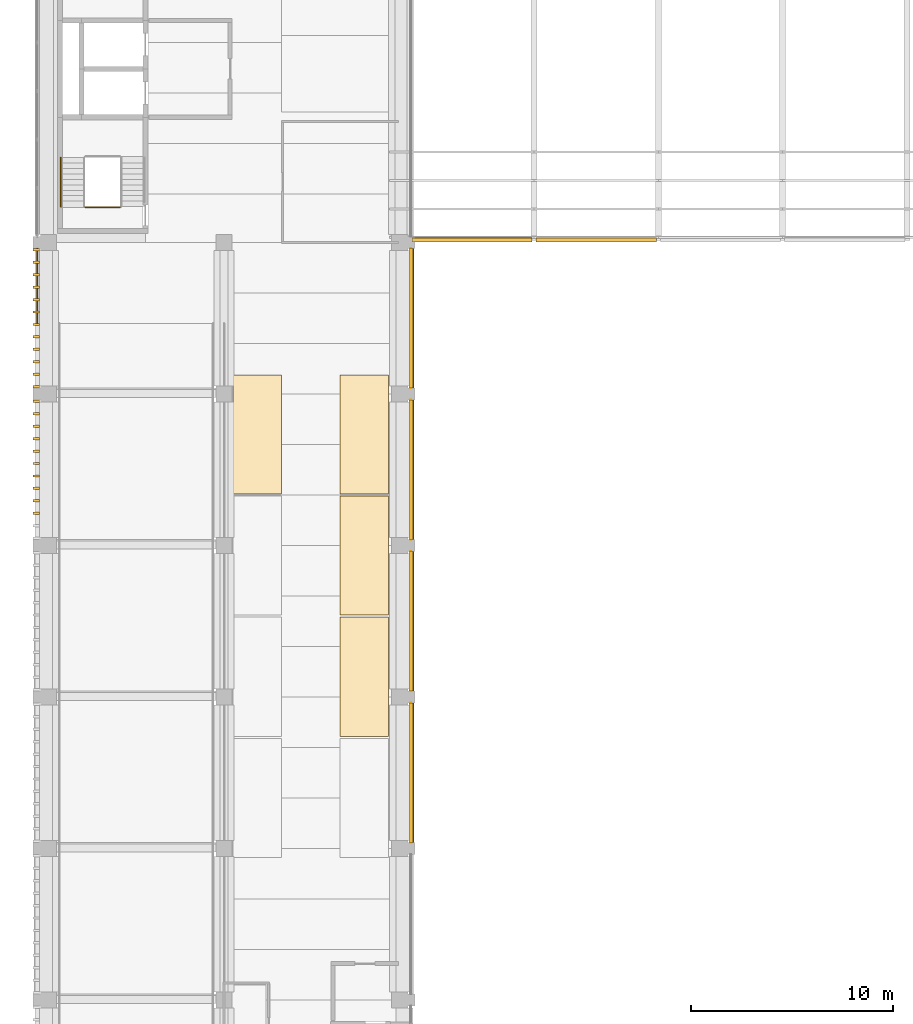
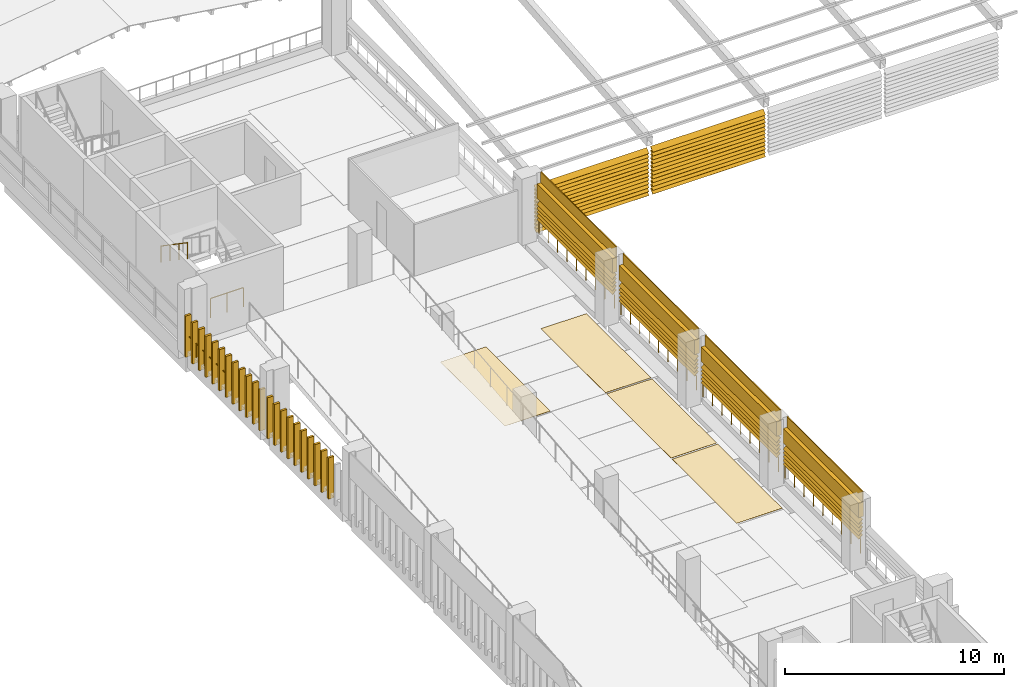
# One storey, part 43 of 52: 44 shading devices, 30 coverings, 7 railings.
"""IFC4 building model written with IfcOpenShell, lengths in metres."""

import ifcopenshell
import ifcopenshell.guid

model = None  # the IFC model being written
_history = None  # IfcOwnerHistory: only IFC2X3 demands one
_inside = {}  # id of a spatial element -> (the spatial element, [elements in it])
_under = {}  # id of a project, library or spatial element -> (it, [spatial elements below it])
_declared = {}  # id of a project -> (the project, [libraries it declares])
_typed = {}  # id of a type object -> (the type object, [elements of that type])
_made_of = {}  # id of a material, layer set ... -> (it, [elements and type objects made of it])


def new_model(schema):
    """Start an empty IFC model of exactly this schema.

    Asked for "IFC4X3", IfcOpenShell would pick the latest addendum, in which some entities
    have other attributes; the version numbers below select the first issue.
    IFC2X3 requires an IfcOwnerHistory on every rooted entity: one is made here for all.
    """
    global model, _history
    if schema == "IFC4X3":
        model = ifcopenshell.file(schema_version=(4, 3, 0, 0))
    else:
        model = ifcopenshell.file(schema=schema)
    _inside.clear()
    _under.clear()
    _declared.clear()
    _typed.clear()
    _made_of.clear()
    _history = None
    if model.schema == "IFC2X3":
        org = make("IfcOrganization", Name="unknown")
        user = make(
            "IfcPersonAndOrganization",
            ThePerson=make("IfcPerson", FamilyName="unknown"),
            TheOrganization=org,
        )
        app = make(
            "IfcApplication",
            ApplicationDeveloper=org,
            Version="unknown",
            ApplicationFullName="unknown",
            ApplicationIdentifier="unknown",
        )
        _history = make(
            "IfcOwnerHistory",
            OwningUser=user,
            OwningApplication=app,
            ChangeAction="ADDED",
            CreationDate=0,
        )
    return model


def make(cls, **values):
    """One entity of the class cls with the attributes given. An attribute that is None is left unset."""
    return model.create_entity(
        cls, **{name: value for name, value in values.items() if value is not None}
    )


def rooted(cls, **values):
    """An entity with a GlobalId (a new one), such as an element, a storey or a relation."""
    return make(cls, GlobalId=ifcopenshell.guid.new(), OwnerHistory=_history, **values)


def si_unit(unit_type, name, prefix=None):
    """IfcSIUnit, for example si_unit("LENGTHUNIT", "METRE", prefix="MILLI")."""
    return make("IfcSIUnit", UnitType=unit_type, Prefix=prefix, Name=name)


def assignment(units):
    """IfcUnitAssignment: the units of a project."""
    return None if units is None else make("IfcUnitAssignment", Units=units)


def point(xyz):
    """IfcCartesianPoint."""
    return None if xyz is None else make("IfcCartesianPoint", Coordinates=xyz)


def direction(xyz):
    """IfcDirection."""
    return None if xyz is None else make("IfcDirection", DirectionRatios=xyz)


def frame(location, z_axis=None, x_axis=None):
    """IfcAxis2Placement3D, a coordinate frame: its origin and axes. An axis left out is left unset."""
    return make(
        "IfcAxis2Placement3D",
        Location=point(location),
        Axis=direction(z_axis),
        RefDirection=direction(x_axis),
    )


def frame_2d(location, x_axis=None):
    """IfcAxis2Placement2D, a coordinate frame in the plane: its origin and x axis."""
    return make(
        "IfcAxis2Placement2D", Location=point(location), RefDirection=direction(x_axis)
    )


def origin():
    """The frame at (0, 0, 0) with its axes left unset."""
    return frame((0.0, 0.0, 0.0))


def origin_2d():
    """The frame at (0, 0) in the plane with its x axis left unset."""
    return frame_2d((0.0, 0.0))


def place(relative_to, where):
    """IfcLocalPlacement: puts the frame where relative to a parent placement (None: the world)."""
    return make(
        "IfcLocalPlacement", PlacementRelTo=relative_to, RelativePlacement=where
    )


def context(
    kind, dimensions, precision=None, world=None, true_north=None, identifier=None
):
    """IfcGeometricRepresentationContext, for example the 3D "Model" context."""
    return make(
        "IfcGeometricRepresentationContext",
        ContextIdentifier=identifier,
        ContextType=kind,
        CoordinateSpaceDimension=dimensions,
        Precision=precision,
        WorldCoordinateSystem=world,
        TrueNorth=true_north,
    )


def subcontext(parent, identifier, kind, view, scale=None):
    """IfcGeometricRepresentationSubContext, for example "Body" below "Model"."""
    return make(
        "IfcGeometricRepresentationSubContext",
        ContextIdentifier=identifier,
        ContextType=kind,
        ParentContext=parent,
        TargetScale=scale,
        TargetView=view,
    )


def project(units=None, contexts=None):
    """IfcProject with its units and contexts."""
    return rooted(
        "IfcProject",
        Name="project",
        RepresentationContexts=contexts,
        UnitsInContext=assignment(units),
    )


def spatial(cls, under=None, at=None, **own):
    """A site, building, storey or space (cls), placed at a placement, below another one or the project."""
    s = rooted(cls, ObjectPlacement=at, **own)
    if under is not None:
        _under.setdefault(under.id(), (under, []))[1].append(s)
    return s


def polyline(points):
    """IfcPolyline through the points."""
    return make("IfcPolyline", Points=[point(p) for p in points])


def profile(cls, at=None, kind="AREA", **sizes):
    """A parametric profile (cls). Its sizes go by their IFC names, for example OverallWidth=200.0."""
    return make(cls, ProfileType=kind, Position=at, **sizes)


def circle(**sizes):
    """IfcCircleProfileDef."""
    return profile("IfcCircleProfileDef", **sizes)


def outline(outer, holes=None, kind="AREA"):
    """IfcArbitraryClosedProfileDef: a profile drawn as a closed curve; with holes, ...WithVoids."""
    if holes is None:
        return make("IfcArbitraryClosedProfileDef", ProfileType=kind, OuterCurve=outer)
    return make(
        "IfcArbitraryProfileDefWithVoids",
        ProfileType=kind,
        OuterCurve=outer,
        InnerCurves=holes,
    )


def extrude(swept, where, along, depth):
    """IfcExtrudedAreaSolid: the profile swept, set in the frame where, extruded along a direction by depth."""
    return make(
        "IfcExtrudedAreaSolid",
        SweptArea=swept,
        Position=where,
        ExtrudedDirection=direction(along),
        Depth=depth,
    )


def shape(context_of_items, identifier, shape_type, items):
    """IfcShapeRepresentation: the items that make up one representation, for example the "Body"."""
    return make(
        "IfcShapeRepresentation",
        ContextOfItems=context_of_items,
        RepresentationIdentifier=identifier,
        RepresentationType=shape_type,
        Items=items,
    )


def material(Name=None, Category=None):
    """IfcMaterial."""
    return make("IfcMaterial", Name=Name, Category=Category)


def layer(
    of_material, thickness, ventilated=None, Name=None, Category=None, Priority=None
):
    """IfcMaterialLayer: one layer of a wall or slab, of a material (None: an air gap)."""
    return make(
        "IfcMaterialLayer",
        Material=of_material,
        LayerThickness=thickness,
        IsVentilated=ventilated,
        Name=Name,
        Category=Category,
        Priority=Priority,
    )


def layer_set(layers, Name=None):
    """IfcMaterialLayerSet."""
    return make("IfcMaterialLayerSet", MaterialLayers=layers, LayerSetName=Name)


def made_of(thing, what):
    """Note that an element or type object is made of a material, layer set ...; save() writes the relation."""
    if what is not None:
        _made_of.setdefault(what.id(), (what, []))[1].append(thing)
    return thing


def type_object(cls, material=None, **own):
    """A type object (cls), such as IfcWallType, which elements share."""
    return made_of(rooted(cls, **own), material)


def element(
    cls,
    number,
    at=None,
    inside=None,
    cuts=None,
    type_object=None,
    material=None,
    context=None,
    identifier="Body",
    shape_type=None,
    held_by="IfcProductDefinitionShape",
    body=None,
    shapes=None,
    **own,
):
    """One element of the class cls, such as IfcWall. Its Tag is "e" and its number.

    at: its placement. inside: the storey or other place that contains it. cuts: it is an
    opening in that element (IfcRelVoidsElement). A single representation is given by context,
    identifier, shape_type and body (its items); several are given by shapes. held_by: the class
    of the entity that holds the representations. save() writes the other relations.
    """
    e = rooted(cls, Tag="e%d" % number, ObjectPlacement=at, **own)
    if body is not None:
        shapes = [shape(context, identifier, shape_type, body)]
    if shapes is not None:
        e.Representation = make(held_by, Representations=shapes)
    if inside is not None:
        _inside.setdefault(inside.id(), (inside, []))[1].append(e)
    if cuts is not None:
        rooted(
            "IfcRelVoidsElement", RelatingBuildingElement=cuts, RelatedOpeningElement=e
        )
    if type_object is not None:
        _typed.setdefault(type_object.id(), (type_object, []))[1].append(e)
    return made_of(e, material)


def aggregate(whole, parts):
    """IfcRelAggregates: a whole, such as a stair, and the parts it consists of."""
    return rooted("IfcRelAggregates", RelatingObject=whole, RelatedObjects=parts)


def save(model, path):
    """Write the relations noted so far, then the file.

    IfcRelAggregates (storeys below a building ...), IfcRelContainedInSpatialStructure (elements
    in a storey), IfcRelDefinesByType, IfcRelAssociatesMaterial and IfcRelDeclares: one each for
    every whole, place, type object, material and project.
    """
    for whole, parts in _under.values():
        aggregate(whole, parts)
    for where, things in _inside.values():
        rooted(
            "IfcRelContainedInSpatialStructure",
            RelatedElements=things,
            RelatingStructure=where,
        )
    for kind, things in _typed.values():
        rooted("IfcRelDefinesByType", RelatedObjects=things, RelatingType=kind)
    for what, things in _made_of.values():
        rooted("IfcRelAssociatesMaterial", RelatedObjects=things, RelatingMaterial=what)
    for by, libraries in _declared.values():
        rooted("IfcRelDeclares", RelatingContext=by, RelatedDefinitions=libraries)
    model.write(path)


model = new_model("IFC4")

# Units and contexts
model_context = context("Model", 3, precision=1e-05, world=origin(), true_north=direction((0.0, 1.0)))
body_context = subcontext(model_context, "Body", "Model", "MODEL_VIEW")
ifc_project = project(units=[si_unit("LENGTHUNIT", "METRE"), si_unit("AREAUNIT", "SQUARE_METRE"), si_unit("VOLUMEUNIT", "CUBIC_METRE"), si_unit("PLANEANGLEUNIT", "RADIAN"), si_unit("MASSUNIT", "GRAM", prefix="KILO")], contexts=[model_context])

# Site, building, storey
site_placement = place(None, origin())
site = spatial("IfcSite", under=ifc_project, at=site_placement, CompositionType="ELEMENT")
building_placement = place(site_placement, origin())
building = spatial("IfcBuilding", under=site, at=building_placement, Name="Cour d'Honneur Mobility Palace", CompositionType="ELEMENT")
storey_placement = place(building_placement, frame((0.0, 0.0, 23.0)))
storey = spatial("IfcBuildingStorey", under=building, at=storey_placement, Name="L06", CompositionType="ELEMENT", Elevation=23.0)

# Railings
ifc_material_1 = material(Name="Painted steel", Category="steel")
railing_type_1 = type_object("IfcRailingType", Name="Balustrade", PredefinedType="BALUSTRADE", material=ifc_material_1)
for number, where, name in (
    (1, (17.949951171875, 15.300048828125, 0.300048828125), "Balustrade BAL-344"),
    (2, (17.949951171875, 22.800048828125, 0.300048828125), "Balustrade BAL-345"),
    (3, (17.949951171875, 30.300048828125, 0.300048828125), "Balustrade BAL-346"),
    (4, (17.949951171875, 37.800048828125, 0.300048828125), "Balustrade BAL-347"),
):
    element("IfcRailing", number, at=place(storey_placement, frame(where)), inside=storey, type_object=railing_type_1, Name=name, PredefinedType="BALUSTRADE", context=body_context, shape_type="SweptSolid", body=[
        extrude(circle(Radius=0.02392578125, at=origin_2d()), frame((0.0, 0.0, 0.77587890625), z_axis=(0.0, 1.0, 0.0), x_axis=(-1.0, 0.0, 0.0)), (0.0, 0.0, 1.0), 6.89990234375),
        extrude(circle(Radius=0.02099609375, at=origin_2d()), origin(), (0.0, 0.0, 1.0), 0.751953125),
        extrude(circle(Radius=0.02099609375, at=origin_2d()), frame((0.0, 0.862548828125, 0.0)), (0.0, 0.0, 1.0), 0.751953125),
        extrude(circle(Radius=0.02099609375, at=origin_2d()), frame((0.0, 1.72509765625, 0.0)), (0.0, 0.0, 1.0), 0.751953125),
        extrude(circle(Radius=0.02099609375, at=origin_2d()), frame((0.0, 2.58740234375, 0.0)), (0.0, 0.0, 1.0), 0.751953125),
        extrude(circle(Radius=0.02099609375, at=origin_2d()), frame((0.0, 3.449951171875, 0.0)), (0.0, 0.0, 1.0), 0.751953125),
        extrude(circle(Radius=0.02099609375, at=origin_2d()), frame((0.0, 4.3125, 0.0)), (0.0, 0.0, 1.0), 0.751953125),
        extrude(circle(Radius=0.02099609375, at=origin_2d()), frame((0.0, 5.1748046875, 0.0)), (0.0, 0.0, 1.0), 0.751953125),
        extrude(circle(Radius=0.02099609375, at=origin_2d()), frame((0.0, 6.037353515625, 0.0)), (0.0, 0.0, 1.0), 0.751953125),
        extrude(circle(Radius=0.02099609375, at=origin_2d()), frame((0.0, 6.89990234375, 0.0)), (0.0, 0.0, 1.0), 0.751953125),
    ])
railing_1_placement = place(storey_placement, frame((-0.550048828125, 44.699951171875, 0.300048828125)))
element("IfcRailing", 5, at=railing_1_placement, inside=storey, type_object=railing_type_1, Name="Balustrade BAL-350", PredefinedType="BALUSTRADE", context=body_context, shape_type="SweptSolid", body=[
    extrude(circle(Radius=0.02392578125, at=origin_2d()), frame((0.0, 0.0, 0.77587890625), z_axis=(0.0, -1.0, 0.0), x_axis=(1.0, 0.0, 0.0)), (0.0, 0.0, 1.0), 3.699951171875),
    extrude(circle(Radius=0.02099609375, at=origin_2d()), origin(), (0.0, 0.0, 1.0), 0.751953125),
    extrude(circle(Radius=0.02099609375, at=origin_2d()), frame((0.0, -0.739990234375, 0.0)), (0.0, 0.0, 1.0), 0.751953125),
    extrude(circle(Radius=0.02099609375, at=origin_2d()), frame((0.0, -1.47998046875, 0.0)), (0.0, 0.0, 1.0), 0.751953125),
    extrude(circle(Radius=0.02099609375, at=origin_2d()), frame((0.0, -2.219970703125, 0.0)), (0.0, 0.0, 1.0), 0.751953125),
    extrude(circle(Radius=0.02099609375, at=origin_2d()), frame((0.0, -2.9599609375, 0.0)), (0.0, 0.0, 1.0), 0.751953125),
    extrude(circle(Radius=0.02099609375, at=origin_2d()), frame((0.0, -3.699951171875, 0.0)), (0.0, 0.0, 1.0), 0.751953125),
])
ifc_material_2 = material(Name="Painted steel", Category="steel")
railing_type_2 = type_object("IfcRailingType", Name="Guardrail 1100", PredefinedType="GUARDRAIL", material=ifc_material_2)
railing_2_placement = place(storey_placement, frame((1.824951171875, 46.7548828125, 0.0)))
element("IfcRailing", 6, at=railing_2_placement, inside=storey, type_object=railing_type_2, Name="Guard ST-CW1", PredefinedType="GUARDRAIL", context=body_context, shape_type="SweptSolid", body=[
    extrude(circle(Radius=0.02490234375, at=origin_2d()), frame((0.0, 0.0, 1.0751953125), z_axis=(1.0, 0.0, 0.0), x_axis=(0.0, 1.0, 0.0)), (0.0, 0.0, 1.0), 1.72509765625),
    extrude(circle(Radius=0.02099609375, at=origin_2d()), origin(), (0.0, 0.0, 1.0), 1.050048828125),
    extrude(circle(Radius=0.02099609375, at=origin_2d()), frame((0.862548828125, 0.0, 0.0)), (0.0, 0.0, 1.0), 1.050048828125),
    extrude(circle(Radius=0.02099609375, at=origin_2d()), frame((1.72509765625, 0.0, 0.0)), (0.0, 0.0, 1.0), 1.050048828125),
])
ifc_material_3 = material(Name="Stainless steel", Category="steel")
railing_type_3 = type_object("IfcRailingType", Name="Handrail round 50", PredefinedType="HANDRAIL", material=ifc_material_3)
railing_3_placement = place(storey_placement, frame((0.625, 49.205078125, 2.034912109375)))
element("IfcRailing", 7, at=railing_3_placement, inside=storey, type_object=railing_type_3, Name="Handrail ST-CW1", PredefinedType="HANDRAIL", context=body_context, shape_type="SweptSolid", body=[
    extrude(circle(Radius=0.02490234375, at=origin_2d()), frame((0.0, 0.0, 0.89501953125), z_axis=(0.0, -0.824945253146, 0.565212640793), x_axis=(1.0, 0.0, 0.0)), (0.0, 0.0, 1.0), 2.94580078125),
    extrude(circle(Radius=0.02099609375, at=origin_2d()), origin(), (0.0, 0.0, 1.0), 0.869873046875),
    extrude(circle(Radius=0.02099609375, at=origin_2d()), frame((0.0, -0.81005859375, 0.554931640625)), (0.0, 0.0, 1.0), 0.869873046875),
    extrude(circle(Radius=0.02099609375, at=origin_2d()), frame((0.0, -1.6201171875, 1.110107421875)), (0.0, 0.0, 1.0), 0.869873046875),
    extrude(circle(Radius=0.02099609375, at=origin_2d()), frame((0.0, -2.43017578125, 1.6650390625)), (0.0, 0.0, 1.0), 0.869873046875),
])

# Coverings
ifc_material_4 = material(Name="Parking marking paint")
ifc_layer_1 = layer(ifc_material_4, 0.0048828125)
ifc_layer_set_1 = layer_set([ifc_layer_1], Name="Parking marking paint")
covering_type_1 = type_object("IfcCoveringType", Name="Parking bay marking", PredefinedType="FLOORING", material=ifc_layer_set_1)
covering_1_placement = place(storey_placement, origin())
element("IfcCovering", 8, at=covering_1_placement, inside=storey, type_object=covering_type_1, Name="Parking bay marking L06 12", PredefinedType="FLOORING", context=body_context, shape_type="SweptSolid", body=[
    extrude(outline(polyline([(11.550048828125, 32.550048828125), (9.14990234375, 32.550048828125), (9.14990234375, 38.449951171875), (11.550048828125, 38.449951171875), (11.550048828125, 32.550048828125)])), origin(), (0.0, 0.0, 1.0), 0.0048828125),
])
covering_2_placement = place(storey_placement, origin())
element("IfcCovering", 9, at=covering_2_placement, inside=storey, type_object=covering_type_1, Name="Parking bay marking L06 14", PredefinedType="FLOORING", context=body_context, shape_type="SweptSolid", body=[
    extrude(outline(polyline([(16.85009765625, 20.550048828125), (14.449951171875, 20.550048828125), (14.449951171875, 26.449951171875), (16.85009765625, 26.449951171875), (16.85009765625, 20.550048828125)])), origin(), (0.0, 0.0, 1.0), 0.0048828125),
])
covering_3_placement = place(storey_placement, origin())
element("IfcCovering", 10, at=covering_3_placement, inside=storey, type_object=covering_type_1, Name="Parking bay marking L06 15", PredefinedType="FLOORING", context=body_context, shape_type="SweptSolid", body=[
    extrude(outline(polyline([(16.85009765625, 26.550048828125), (14.449951171875, 26.550048828125), (14.449951171875, 32.449951171875), (16.85009765625, 32.449951171875), (16.85009765625, 26.550048828125)])), origin(), (0.0, 0.0, 1.0), 0.0048828125),
])
covering_4_placement = place(storey_placement, origin())
element("IfcCovering", 11, at=covering_4_placement, inside=storey, type_object=covering_type_1, Name="Parking bay marking L06 16", PredefinedType="FLOORING", context=body_context, shape_type="SweptSolid", body=[
    extrude(outline(polyline([(16.85009765625, 32.550048828125), (14.449951171875, 32.550048828125), (14.449951171875, 38.449951171875), (16.85009765625, 38.449951171875), (16.85009765625, 32.550048828125)])), origin(), (0.0, 0.0, 1.0), 0.0048828125),
])
ifc_material_5 = material(Name="Cast limestone", Category="masonry")
ifc_layer_2 = layer(ifc_material_5, 0.1201171875)
ifc_layer_set_2 = layer_set([ifc_layer_2], Name="Cast limestone")
covering_type_2 = type_object("IfcCoveringType", Name="Ramp screen fin", PredefinedType="CLADDING", material=ifc_layer_set_2)
covering_5_placement = place(storey_placement, origin())
element("IfcCovering", 12, at=covering_5_placement, inside=storey, type_object=covering_type_2, Name="Ramp screen fin W3.1 L06 1", PredefinedType="CLADDING", context=body_context, shape_type="SweptSolid", body=[
    extrude(outline(polyline([(-0.449951171875, 44.699951171875), (-0.449951171875, 44.580078125), (-0.75, 44.580078125), (-0.75, 44.699951171875), (-0.449951171875, 44.699951171875)])), origin(), (0.0, 0.0, 1.0), 2.300048828125),
])
covering_6_placement = place(storey_placement, origin())
element("IfcCovering", 13, at=covering_6_placement, inside=storey, type_object=covering_type_2, Name="Ramp screen fin W3.1 L06 2", PredefinedType="CLADDING", context=body_context, shape_type="SweptSolid", body=[
    extrude(outline(polyline([(-0.449951171875, 44.083740234375), (-0.449951171875, 43.963623046875), (-0.75, 43.963623046875), (-0.75, 44.083740234375), (-0.449951171875, 44.083740234375)])), origin(), (0.0, 0.0, 1.0), 2.300048828125),
])
covering_7_placement = place(storey_placement, origin())
element("IfcCovering", 14, at=covering_7_placement, inside=storey, type_object=covering_type_2, Name="Ramp screen fin W3.1 L06 3", PredefinedType="CLADDING", context=body_context, shape_type="SweptSolid", body=[
    extrude(outline(polyline([(-0.449951171875, 43.46728515625), (-0.449951171875, 43.34716796875), (-0.75, 43.34716796875), (-0.75, 43.46728515625), (-0.449951171875, 43.46728515625)])), origin(), (0.0, 0.0, 1.0), 2.300048828125),
])
covering_8_placement = place(storey_placement, origin())
element("IfcCovering", 15, at=covering_8_placement, inside=storey, type_object=covering_type_2, Name="Ramp screen fin W3.1 L06 4", PredefinedType="CLADDING", context=body_context, shape_type="SweptSolid", body=[
    extrude(outline(polyline([(-0.449951171875, 42.850830078125), (-0.449951171875, 42.73095703125), (-0.75, 42.73095703125), (-0.75, 42.850830078125), (-0.449951171875, 42.850830078125)])), origin(), (0.0, 0.0, 1.0), 2.300048828125),
])
covering_9_placement = place(storey_placement, origin())
element("IfcCovering", 16, at=covering_9_placement, inside=storey, type_object=covering_type_2, Name="Ramp screen fin W3.1 L06 5", PredefinedType="CLADDING", context=body_context, shape_type="SweptSolid", body=[
    extrude(outline(polyline([(-0.449951171875, 42.234619140625), (-0.449951171875, 42.114501953125), (-0.75, 42.114501953125), (-0.75, 42.234619140625), (-0.449951171875, 42.234619140625)])), origin(), (0.0, 0.0, 1.0), 2.300048828125),
])
covering_10_placement = place(storey_placement, origin())
element("IfcCovering", 17, at=covering_10_placement, inside=storey, type_object=covering_type_2, Name="Ramp screen fin W3.1 L06 6", PredefinedType="CLADDING", context=body_context, shape_type="SweptSolid", body=[
    extrude(outline(polyline([(-0.449951171875, 41.6181640625), (-0.449951171875, 41.498291015625), (-0.75, 41.498291015625), (-0.75, 41.6181640625), (-0.449951171875, 41.6181640625)])), origin(), (0.0, 0.0, 1.0), 2.300048828125),
])
covering_11_placement = place(storey_placement, origin())
element("IfcCovering", 18, at=covering_11_placement, inside=storey, type_object=covering_type_2, Name="Ramp screen fin W3.1 L06 7", PredefinedType="CLADDING", context=body_context, shape_type="SweptSolid", body=[
    extrude(outline(polyline([(-0.449951171875, 41.001708984375), (-0.449951171875, 40.8818359375), (-0.75, 40.8818359375), (-0.75, 41.001708984375), (-0.449951171875, 41.001708984375)])), origin(), (0.0, 0.0, 1.0), 2.300048828125),
])
covering_12_placement = place(storey_placement, origin())
element("IfcCovering", 19, at=covering_12_placement, inside=storey, type_object=covering_type_2, Name="Ramp screen fin W3.1 L06 8", PredefinedType="CLADDING", context=body_context, shape_type="SweptSolid", body=[
    extrude(outline(polyline([(-0.449951171875, 40.385498046875), (-0.449951171875, 40.265380859375), (-0.75, 40.265380859375), (-0.75, 40.385498046875), (-0.449951171875, 40.385498046875)])), origin(), (0.0, 0.0, 1.0), 2.300048828125),
])
covering_13_placement = place(storey_placement, origin())
element("IfcCovering", 20, at=covering_13_placement, inside=storey, type_object=covering_type_2, Name="Ramp screen fin W3.1 L06 9", PredefinedType="CLADDING", context=body_context, shape_type="SweptSolid", body=[
    extrude(outline(polyline([(-0.449951171875, 39.76904296875), (-0.449951171875, 39.649169921875), (-0.75, 39.649169921875), (-0.75, 39.76904296875), (-0.449951171875, 39.76904296875)])), origin(), (0.0, 0.0, 1.0), 2.300048828125),
])
covering_14_placement = place(storey_placement, origin())
element("IfcCovering", 21, at=covering_14_placement, inside=storey, type_object=covering_type_2, Name="Ramp screen fin W3.1 L06 10", PredefinedType="CLADDING", context=body_context, shape_type="SweptSolid", body=[
    extrude(outline(polyline([(-0.449951171875, 39.15283203125), (-0.449951171875, 39.03271484375), (-0.75, 39.03271484375), (-0.75, 39.15283203125), (-0.449951171875, 39.15283203125)])), origin(), (0.0, 0.0, 1.0), 2.300048828125),
])
covering_15_placement = place(storey_placement, origin())
element("IfcCovering", 22, at=covering_15_placement, inside=storey, type_object=covering_type_2, Name="Ramp screen fin W3.1 L06 11", PredefinedType="CLADDING", context=body_context, shape_type="SweptSolid", body=[
    extrude(outline(polyline([(-0.449951171875, 38.536376953125), (-0.449951171875, 38.416259765625), (-0.75, 38.416259765625), (-0.75, 38.536376953125), (-0.449951171875, 38.536376953125)])), origin(), (0.0, 0.0, 1.0), 2.300048828125),
])
covering_16_placement = place(storey_placement, origin())
element("IfcCovering", 23, at=covering_16_placement, inside=storey, type_object=covering_type_2, Name="Ramp screen fin W3.1 L06 12", PredefinedType="CLADDING", context=body_context, shape_type="SweptSolid", body=[
    extrude(outline(polyline([(-0.449951171875, 37.919921875), (-0.449951171875, 37.800048828125), (-0.75, 37.800048828125), (-0.75, 37.919921875), (-0.449951171875, 37.919921875)])), origin(), (0.0, 0.0, 1.0), 2.300048828125),
])
covering_17_placement = place(storey_placement, origin())
element("IfcCovering", 24, at=covering_17_placement, inside=storey, type_object=covering_type_2, Name="Ramp screen fin W3.2 L06 1", PredefinedType="CLADDING", context=body_context, shape_type="SweptSolid", body=[
    extrude(outline(polyline([(-0.449951171875, 37.199951171875), (-0.449951171875, 37.080078125), (-0.75, 37.080078125), (-0.75, 37.199951171875), (-0.449951171875, 37.199951171875)])), origin(), (0.0, 0.0, 1.0), 2.300048828125),
])
covering_18_placement = place(storey_placement, origin())
element("IfcCovering", 25, at=covering_18_placement, inside=storey, type_object=covering_type_2, Name="Ramp screen fin W3.2 L06 2", PredefinedType="CLADDING", context=body_context, shape_type="SweptSolid", body=[
    extrude(outline(polyline([(-0.449951171875, 36.583740234375), (-0.449951171875, 36.463623046875), (-0.75, 36.463623046875), (-0.75, 36.583740234375), (-0.449951171875, 36.583740234375)])), origin(), (0.0, 0.0, 1.0), 2.300048828125),
])
covering_19_placement = place(storey_placement, origin())
element("IfcCovering", 26, at=covering_19_placement, inside=storey, type_object=covering_type_2, Name="Ramp screen fin W3.2 L06 3", PredefinedType="CLADDING", context=body_context, shape_type="SweptSolid", body=[
    extrude(outline(polyline([(-0.449951171875, 35.96728515625), (-0.449951171875, 35.84716796875), (-0.75, 35.84716796875), (-0.75, 35.96728515625), (-0.449951171875, 35.96728515625)])), origin(), (0.0, 0.0, 1.0), 2.300048828125),
])
covering_20_placement = place(storey_placement, origin())
element("IfcCovering", 27, at=covering_20_placement, inside=storey, type_object=covering_type_2, Name="Ramp screen fin W3.2 L06 4", PredefinedType="CLADDING", context=body_context, shape_type="SweptSolid", body=[
    extrude(outline(polyline([(-0.449951171875, 35.350830078125), (-0.449951171875, 35.23095703125), (-0.75, 35.23095703125), (-0.75, 35.350830078125), (-0.449951171875, 35.350830078125)])), origin(), (0.0, 0.0, 1.0), 2.300048828125),
])
covering_21_placement = place(storey_placement, origin())
element("IfcCovering", 28, at=covering_21_placement, inside=storey, type_object=covering_type_2, Name="Ramp screen fin W3.2 L06 5", PredefinedType="CLADDING", context=body_context, shape_type="SweptSolid", body=[
    extrude(outline(polyline([(-0.449951171875, 34.734619140625), (-0.449951171875, 34.614501953125), (-0.75, 34.614501953125), (-0.75, 34.734619140625), (-0.449951171875, 34.734619140625)])), origin(), (0.0, 0.0, 1.0), 2.300048828125),
])
covering_22_placement = place(storey_placement, origin())
element("IfcCovering", 29, at=covering_22_placement, inside=storey, type_object=covering_type_2, Name="Ramp screen fin W3.2 L06 6", PredefinedType="CLADDING", context=body_context, shape_type="SweptSolid", body=[
    extrude(outline(polyline([(-0.449951171875, 34.1181640625), (-0.449951171875, 33.998291015625), (-0.75, 33.998291015625), (-0.75, 34.1181640625), (-0.449951171875, 34.1181640625)])), origin(), (0.0, 0.0, 1.0), 2.300048828125),
])
covering_23_placement = place(storey_placement, origin())
element("IfcCovering", 30, at=covering_23_placement, inside=storey, type_object=covering_type_2, Name="Ramp screen fin W3.2 L06 7", PredefinedType="CLADDING", context=body_context, shape_type="SweptSolid", body=[
    extrude(outline(polyline([(-0.449951171875, 33.501708984375), (-0.449951171875, 33.3818359375), (-0.75, 33.3818359375), (-0.75, 33.501708984375), (-0.449951171875, 33.501708984375)])), origin(), (0.0, 0.0, 1.0), 2.300048828125),
])
covering_24_placement = place(storey_placement, origin())
element("IfcCovering", 31, at=covering_24_placement, inside=storey, type_object=covering_type_2, Name="Ramp screen fin W3.2 L06 8", PredefinedType="CLADDING", context=body_context, shape_type="SweptSolid", body=[
    extrude(outline(polyline([(-0.449951171875, 32.885498046875), (-0.449951171875, 32.765380859375), (-0.75, 32.765380859375), (-0.75, 32.885498046875), (-0.449951171875, 32.885498046875)])), origin(), (0.0, 0.0, 1.0), 2.300048828125),
])
covering_25_placement = place(storey_placement, origin())
element("IfcCovering", 32, at=covering_25_placement, inside=storey, type_object=covering_type_2, Name="Ramp screen fin W3.2 L06 9", PredefinedType="CLADDING", context=body_context, shape_type="SweptSolid", body=[
    extrude(outline(polyline([(-0.449951171875, 32.26904296875), (-0.449951171875, 32.149169921875), (-0.75, 32.149169921875), (-0.75, 32.26904296875), (-0.449951171875, 32.26904296875)])), origin(), (0.0, 0.0, 1.0), 2.300048828125),
])
covering_26_placement = place(storey_placement, origin())
element("IfcCovering", 33, at=covering_26_placement, inside=storey, type_object=covering_type_2, Name="Ramp screen fin W3.2 L06 10", PredefinedType="CLADDING", context=body_context, shape_type="SweptSolid", body=[
    extrude(outline(polyline([(-0.449951171875, 31.65283203125), (-0.449951171875, 31.53271484375), (-0.75, 31.53271484375), (-0.75, 31.65283203125), (-0.449951171875, 31.65283203125)])), origin(), (0.0, 0.0, 1.0), 2.300048828125),
])
ifc_material_6 = material(Name="Cast limestone", Category="masonry")
ifc_layer_3 = layer(ifc_material_6, 0.25)
ifc_layer_set_3 = layer_set([ifc_layer_3], Name="Cast limestone")
covering_type_3 = type_object("IfcCoveringType", Name="Spandrel cladding", PredefinedType="CLADDING", material=ifc_layer_set_3)
for number, where, z_axis, x_axis, name in (
    (34, (17.85009765625, 15.300048828125, 2.300048828125), (0.0, -1.0, 0.0), (1.0, 0.0, 0.0), "Spandrel cladding SK-361"),
    (35, (17.85009765625, 22.800048828125, 2.300048828125), (0.0, -1.0, 0.0), (1.0, 0.0, 0.0), "Spandrel cladding SK-362"),
    (36, (17.85009765625, 30.300048828125, 2.300048828125), (0.0, -1.0, 0.0), (1.0, 0.0, 0.0), "Spandrel cladding SK-363"),
    (37, (17.85009765625, 37.800048828125, 2.300048828125), (0.0, -1.0, 0.0), (1.0, 0.0, 0.0), "Spandrel cladding SK-364"),
):
    element("IfcCovering", number, at=place(storey_placement, frame(where, z_axis=z_axis, x_axis=x_axis)), inside=storey, type_object=covering_type_3, Name=name, PredefinedType="CLADDING", context=body_context, shape_type="SweptSolid", body=[
        extrude(outline(polyline([(0.0, 0.0), (0.25, 0.0), (0.25, 1.39990234375), (0.199951171875, 1.39990234375), (0.199951171875, 0.800048828125), (0.0, 0.800048828125), (0.0, 0.0)])), origin(), (0.0, 0.0, -1.0), 6.89990234375),
    ])

# Shading devices
ifc_material_7 = material(Name="Terracotta", Category="masonry")
ifc_layer_4 = layer(ifc_material_7, 0.02490234375)
ifc_layer_set_4 = layer_set([ifc_layer_4], Name="Terracotta")
shading_device_type = type_object("IfcShadingDeviceType", Name="Terracotta louvre blade", PredefinedType="JALOUSIE", material=ifc_layer_set_4)
shading_device_1_placement = place(storey_placement, frame((17.843994140625, 15.300048828125, 1.10009765625), z_axis=(-0.706699578995, 0.0, 0.707513749017), x_axis=(0.0, 1.0, 0.0)))
element("IfcShadingDevice", 38, at=shading_device_1_placement, inside=storey, type_object=shading_device_type, Name="Louvre blade LV-1 E1.2 L06 1", PredefinedType="JALOUSIE", context=body_context, shape_type="SweptSolid", body=[
    extrude(outline(polyline([(0.0, 0.0), (6.89990234375, 0.0), (6.89990234375, -0.29986442442957895), (0.0, -0.29986442442957895), (0.0, 0.0)])), origin(), (0.0, 0.0, -1.0), 0.02490234375),
])
for number, where, z_axis, x_axis, name in (
    (39, (17.843994140625, 15.300048828125, 1.31201171875), (-0.707106781187, 0.0, 0.707106781187), (0.0, 1.0, 0.0), "Louvre blade LV-1 E1.2 L06 2"),
    (40, (17.843994140625, 15.300048828125, 1.524169921875), (-0.707106781187, 0.0, 0.707106781187), (0.0, 1.0, 0.0), "Louvre blade LV-1 E1.2 L06 3"),
    (41, (17.843994140625, 15.300048828125, 1.736328125), (-0.707106781187, 0.0, 0.707106781187), (0.0, 1.0, 0.0), "Louvre blade LV-1 E1.2 L06 4"),
    (42, (17.843994140625, 15.300048828125, 1.948486328125), (-0.707106781187, 0.0, 0.707106781187), (0.0, 1.0, 0.0), "Louvre blade LV-1 E1.2 L06 5"),
):
    element("IfcShadingDevice", number, at=place(storey_placement, frame(where, z_axis=z_axis, x_axis=x_axis)), inside=storey, type_object=shading_device_type, Name=name, PredefinedType="JALOUSIE", context=body_context, shape_type="SweptSolid", body=[
        extrude(outline(polyline([(0.0, 0.0), (6.89990234375, 0.0), (6.89990234375, -0.300037008228081), (0.0, -0.300037008228081), (0.0, 0.0)])), origin(), (0.0, 0.0, -1.0), 0.02490234375),
    ])
shading_device_2_placement = place(storey_placement, frame((17.843994140625, 22.800048828125, 1.10009765625), z_axis=(-0.706699578995, 0.0, 0.707513749017), x_axis=(0.0, 1.0, 0.0)))
element("IfcShadingDevice", 43, at=shading_device_2_placement, inside=storey, type_object=shading_device_type, Name="Louvre blade LV-1 E1.3 L06 1", PredefinedType="JALOUSIE", context=body_context, shape_type="SweptSolid", body=[
    extrude(outline(polyline([(0.0, 0.0), (6.89990234375, 0.0), (6.89990234375, -0.29986442442957895), (0.0, -0.29986442442957895), (0.0, 0.0)])), origin(), (0.0, 0.0, -1.0), 0.02490234375),
])
for number, where, z_axis, x_axis, name in (
    (44, (17.843994140625, 22.800048828125, 1.31201171875), (-0.707106781187, 0.0, 0.707106781187), (0.0, 1.0, 0.0), "Louvre blade LV-1 E1.3 L06 2"),
    (45, (17.843994140625, 22.800048828125, 1.524169921875), (-0.707106781187, 0.0, 0.707106781187), (0.0, 1.0, 0.0), "Louvre blade LV-1 E1.3 L06 3"),
    (46, (17.843994140625, 22.800048828125, 1.736328125), (-0.707106781187, 0.0, 0.707106781187), (0.0, 1.0, 0.0), "Louvre blade LV-1 E1.3 L06 4"),
    (47, (17.843994140625, 22.800048828125, 1.948486328125), (-0.707106781187, 0.0, 0.707106781187), (0.0, 1.0, 0.0), "Louvre blade LV-1 E1.3 L06 5"),
):
    element("IfcShadingDevice", number, at=place(storey_placement, frame(where, z_axis=z_axis, x_axis=x_axis)), inside=storey, type_object=shading_device_type, Name=name, PredefinedType="JALOUSIE", context=body_context, shape_type="SweptSolid", body=[
        extrude(outline(polyline([(0.0, 0.0), (6.89990234375, 0.0), (6.89990234375, -0.300037008228081), (0.0, -0.300037008228081), (0.0, 0.0)])), origin(), (0.0, 0.0, -1.0), 0.02490234375),
    ])
shading_device_3_placement = place(storey_placement, frame((17.843994140625, 30.300048828125, 1.10009765625), z_axis=(-0.706699578995, 0.0, 0.707513749017), x_axis=(0.0, 1.0, 0.0)))
element("IfcShadingDevice", 48, at=shading_device_3_placement, inside=storey, type_object=shading_device_type, Name="Louvre blade LV-1 E1.4 L06 1", PredefinedType="JALOUSIE", context=body_context, shape_type="SweptSolid", body=[
    extrude(outline(polyline([(0.0, 0.0), (6.89990234375, 0.0), (6.89990234375, -0.29986442442957895), (0.0, -0.29986442442957895), (0.0, 0.0)])), origin(), (0.0, 0.0, -1.0), 0.02490234375),
])
for number, where, z_axis, x_axis, name in (
    (49, (17.843994140625, 30.300048828125, 1.31201171875), (-0.707106781187, 0.0, 0.707106781187), (0.0, 1.0, 0.0), "Louvre blade LV-1 E1.4 L06 2"),
    (50, (17.843994140625, 30.300048828125, 1.524169921875), (-0.707106781187, 0.0, 0.707106781187), (0.0, 1.0, 0.0), "Louvre blade LV-1 E1.4 L06 3"),
    (51, (17.843994140625, 30.300048828125, 1.736328125), (-0.707106781187, 0.0, 0.707106781187), (0.0, 1.0, 0.0), "Louvre blade LV-1 E1.4 L06 4"),
    (52, (17.843994140625, 30.300048828125, 1.948486328125), (-0.707106781187, 0.0, 0.707106781187), (0.0, 1.0, 0.0), "Louvre blade LV-1 E1.4 L06 5"),
):
    element("IfcShadingDevice", number, at=place(storey_placement, frame(where, z_axis=z_axis, x_axis=x_axis)), inside=storey, type_object=shading_device_type, Name=name, PredefinedType="JALOUSIE", context=body_context, shape_type="SweptSolid", body=[
        extrude(outline(polyline([(0.0, 0.0), (6.89990234375, 0.0), (6.89990234375, -0.300037008228081), (0.0, -0.300037008228081), (0.0, 0.0)])), origin(), (0.0, 0.0, -1.0), 0.02490234375),
    ])
shading_device_4_placement = place(storey_placement, frame((17.843994140625, 37.800048828125, 1.10009765625), z_axis=(-0.706699578995, 0.0, 0.707513749017), x_axis=(0.0, 1.0, 0.0)))
element("IfcShadingDevice", 53, at=shading_device_4_placement, inside=storey, type_object=shading_device_type, Name="Louvre blade LV-1 E1.5 L06 1", PredefinedType="JALOUSIE", context=body_context, shape_type="SweptSolid", body=[
    extrude(outline(polyline([(0.0, 0.0), (6.89990234375, 0.0), (6.89990234375, -0.29986442442957895), (0.0, -0.29986442442957895), (0.0, 0.0)])), origin(), (0.0, 0.0, -1.0), 0.02490234375),
])
for number, where, z_axis, x_axis, name in (
    (54, (17.843994140625, 37.800048828125, 1.31201171875), (-0.707106781187, 0.0, 0.707106781187), (0.0, 1.0, 0.0), "Louvre blade LV-1 E1.5 L06 2"),
    (55, (17.843994140625, 37.800048828125, 1.524169921875), (-0.707106781187, 0.0, 0.707106781187), (0.0, 1.0, 0.0), "Louvre blade LV-1 E1.5 L06 3"),
    (56, (17.843994140625, 37.800048828125, 1.736328125), (-0.707106781187, 0.0, 0.707106781187), (0.0, 1.0, 0.0), "Louvre blade LV-1 E1.5 L06 4"),
    (57, (17.843994140625, 37.800048828125, 1.948486328125), (-0.707106781187, 0.0, 0.707106781187), (0.0, 1.0, 0.0), "Louvre blade LV-1 E1.5 L06 5"),
):
    element("IfcShadingDevice", number, at=place(storey_placement, frame(where, z_axis=z_axis, x_axis=x_axis)), inside=storey, type_object=shading_device_type, Name=name, PredefinedType="JALOUSIE", context=body_context, shape_type="SweptSolid", body=[
        extrude(outline(polyline([(0.0, 0.0), (6.89990234375, 0.0), (6.89990234375, -0.300037008228081), (0.0, -0.300037008228081), (0.0, 0.0)])), origin(), (0.0, 0.0, -1.0), 0.02490234375),
    ])
for number, where, z_axis, x_axis, name in (
    (58, (18.0, 45.01904296875, 0.124267578125), (0.0, -0.707513749017, 0.706699578995), (1.0, 0.0, 0.0), "Louvre blade LV-2 FW PG-FW-S1 3"),
    (59, (18.0, 45.01904296875, 0.33642578125), (0.0, -0.707513749017, 0.706699578995), (1.0, 0.0, 0.0), "Louvre blade LV-2 FW PG-FW-S1 4"),
    (60, (18.0, 45.01904296875, 0.548583984375), (0.0, -0.707513749017, 0.706699578995), (1.0, 0.0, 0.0), "Louvre blade LV-2 FW PG-FW-S1 5"),
    (61, (18.0, 45.01904296875, 0.7607421875), (0.0, -0.707513749017, 0.706699578995), (1.0, 0.0, 0.0), "Louvre blade LV-2 FW PG-FW-S1 6"),
):
    element("IfcShadingDevice", number, at=place(storey_placement, frame(where, z_axis=z_axis, x_axis=x_axis)), inside=storey, type_object=shading_device_type, Name=name, PredefinedType="JALOUSIE", context=body_context, shape_type="SweptSolid", body=[
        extrude(outline(polyline([(0.0, 0.0), (5.949951171875, 0.0), (5.949951171875, 0.29986442442957895), (0.0, 0.29986442442957895), (0.0, 0.0)])), origin(), (0.0, 0.0, -1.0), 0.02490234375),
    ])
shading_device_5_placement = place(storey_placement, frame((18.0, 45.01904296875, 0.972900390625), z_axis=(0.0, -0.707106781187, 0.707106781187), x_axis=(1.0, 0.0, 0.0)))
element("IfcShadingDevice", 62, at=shading_device_5_placement, inside=storey, type_object=shading_device_type, Name="Louvre blade LV-2 FW PG-FW-S1 7", PredefinedType="JALOUSIE", context=body_context, shape_type="SweptSolid", body=[
    extrude(outline(polyline([(0.0, 0.0), (5.949951171875, 0.0), (5.949951171875, 0.29969174124507975), (0.0, 0.29969174124507975), (0.0, 0.0)])), origin(), (0.0, 0.0, -1.0), 0.02490234375),
])
for number, where, z_axis, x_axis, name in (
    (63, (18.0, 45.01904296875, 1.184814453125), (0.0, -0.707513749017, 0.706699578995), (1.0, 0.0, 0.0), "Louvre blade LV-2 FW PG-FW-S1 8"),
    (64, (18.0, 45.01904296875, 1.39697265625), (0.0, -0.707513749017, 0.706699578995), (1.0, 0.0, 0.0), "Louvre blade LV-2 FW PG-FW-S1 9"),
    (65, (18.0, 45.01904296875, 1.609130859375), (0.0, -0.707513749017, 0.706699578995), (1.0, 0.0, 0.0), "Louvre blade LV-2 FW PG-FW-S1 10"),
    (66, (18.0, 45.01904296875, 1.8212890625), (0.0, -0.707513749017, 0.706699578995), (1.0, 0.0, 0.0), "Louvre blade LV-2 FW PG-FW-S1 11"),
    (67, (18.0, 45.01904296875, 2.033447265625), (0.0, -0.707513749017, 0.706699578995), (1.0, 0.0, 0.0), "Louvre blade LV-2 FW PG-FW-S1 12"),
    (68, (18.0, 45.01904296875, 2.24560546875), (0.0, -0.707513749017, 0.706699578995), (1.0, 0.0, 0.0), "Louvre blade LV-2 FW PG-FW-S1 13"),
    (69, (18.0, 45.01904296875, 2.457763671875), (0.0, -0.707513749017, 0.706699578995), (1.0, 0.0, 0.0), "Louvre blade LV-2 FW PG-FW-S1 14"),
):
    element("IfcShadingDevice", number, at=place(storey_placement, frame(where, z_axis=z_axis, x_axis=x_axis)), inside=storey, type_object=shading_device_type, Name=name, PredefinedType="JALOUSIE", context=body_context, shape_type="SweptSolid", body=[
        extrude(outline(polyline([(0.0, 0.0), (5.949951171875, 0.0), (5.949951171875, 0.29986442442957895), (0.0, 0.29986442442957895), (0.0, 0.0)])), origin(), (0.0, 0.0, -1.0), 0.02490234375),
    ])
for number, where, z_axis, x_axis, name in (
    (70, (24.14990234375, 45.01904296875, 0.124267578125), (0.0, -0.707513749017, 0.706699578995), (1.0, 0.0, 0.0), "Louvre blade LV-2 FW PG-FW-S2 3"),
    (71, (24.14990234375, 45.01904296875, 0.33642578125), (0.0, -0.707513749017, 0.706699578995), (1.0, 0.0, 0.0), "Louvre blade LV-2 FW PG-FW-S2 4"),
    (72, (24.14990234375, 45.01904296875, 0.548583984375), (0.0, -0.707513749017, 0.706699578995), (1.0, 0.0, 0.0), "Louvre blade LV-2 FW PG-FW-S2 5"),
    (73, (24.14990234375, 45.01904296875, 0.7607421875), (0.0, -0.707513749017, 0.706699578995), (1.0, 0.0, 0.0), "Louvre blade LV-2 FW PG-FW-S2 6"),
):
    element("IfcShadingDevice", number, at=place(storey_placement, frame(where, z_axis=z_axis, x_axis=x_axis)), inside=storey, type_object=shading_device_type, Name=name, PredefinedType="JALOUSIE", context=body_context, shape_type="SweptSolid", body=[
        extrude(outline(polyline([(0.0, 0.0), (5.9501953125, 0.0), (5.9501953125, 0.29986442442957895), (0.0, 0.29986442442957895), (0.0, 0.0)])), origin(), (0.0, 0.0, -1.0), 0.02490234375),
    ])
shading_device_6_placement = place(storey_placement, frame((24.14990234375, 45.01904296875, 0.972900390625), z_axis=(0.0, -0.707106781187, 0.707106781187), x_axis=(1.0, 0.0, 0.0)))
element("IfcShadingDevice", 74, at=shading_device_6_placement, inside=storey, type_object=shading_device_type, Name="Louvre blade LV-2 FW PG-FW-S2 7", PredefinedType="JALOUSIE", context=body_context, shape_type="SweptSolid", body=[
    extrude(outline(polyline([(0.0, 0.0), (5.9501953125, 0.0), (5.9501953125, 0.2996917412450797), (0.0, 0.2996917412450797), (0.0, 0.0)])), origin(), (0.0, 0.0, -1.0), 0.02490234375),
])
for number, where, z_axis, x_axis, name in (
    (75, (24.14990234375, 45.01904296875, 1.184814453125), (0.0, -0.707513749017, 0.706699578995), (1.0, 0.0, 0.0), "Louvre blade LV-2 FW PG-FW-S2 8"),
    (76, (24.14990234375, 45.01904296875, 1.39697265625), (0.0, -0.707513749017, 0.706699578995), (1.0, 0.0, 0.0), "Louvre blade LV-2 FW PG-FW-S2 9"),
    (77, (24.14990234375, 45.01904296875, 1.609130859375), (0.0, -0.707513749017, 0.706699578995), (1.0, 0.0, 0.0), "Louvre blade LV-2 FW PG-FW-S2 10"),
    (78, (24.14990234375, 45.01904296875, 1.8212890625), (0.0, -0.707513749017, 0.706699578995), (1.0, 0.0, 0.0), "Louvre blade LV-2 FW PG-FW-S2 11"),
    (79, (24.14990234375, 45.01904296875, 2.033447265625), (0.0, -0.707513749017, 0.706699578995), (1.0, 0.0, 0.0), "Louvre blade LV-2 FW PG-FW-S2 12"),
    (80, (24.14990234375, 45.01904296875, 2.24560546875), (0.0, -0.707513749017, 0.706699578995), (1.0, 0.0, 0.0), "Louvre blade LV-2 FW PG-FW-S2 13"),
    (81, (24.14990234375, 45.01904296875, 2.457763671875), (0.0, -0.707513749017, 0.706699578995), (1.0, 0.0, 0.0), "Louvre blade LV-2 FW PG-FW-S2 14"),
):
    element("IfcShadingDevice", number, at=place(storey_placement, frame(where, z_axis=z_axis, x_axis=x_axis)), inside=storey, type_object=shading_device_type, Name=name, PredefinedType="JALOUSIE", context=body_context, shape_type="SweptSolid", body=[
        extrude(outline(polyline([(0.0, 0.0), (5.9501953125, 0.0), (5.9501953125, 0.29986442442957895), (0.0, 0.29986442442957895), (0.0, 0.0)])), origin(), (0.0, 0.0, -1.0), 0.02490234375),
    ])

save(model, "model.ifc")
